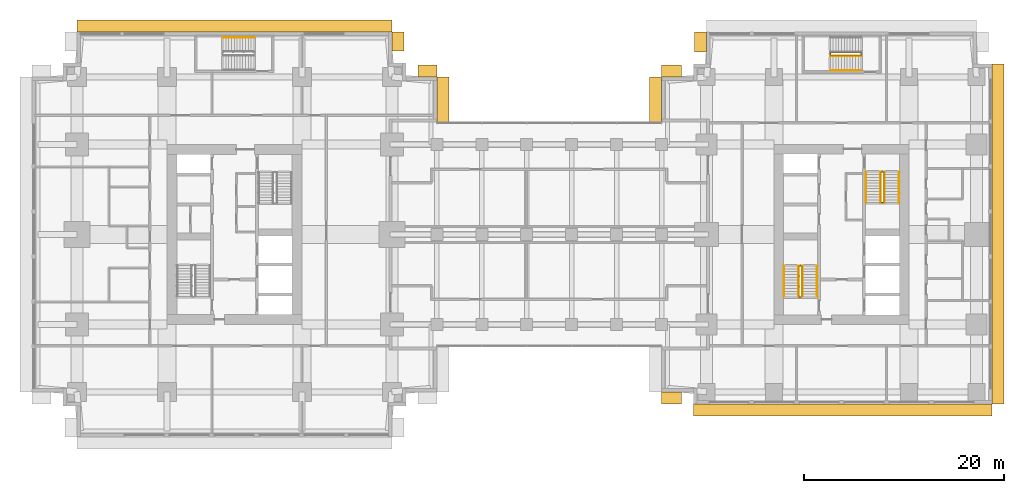
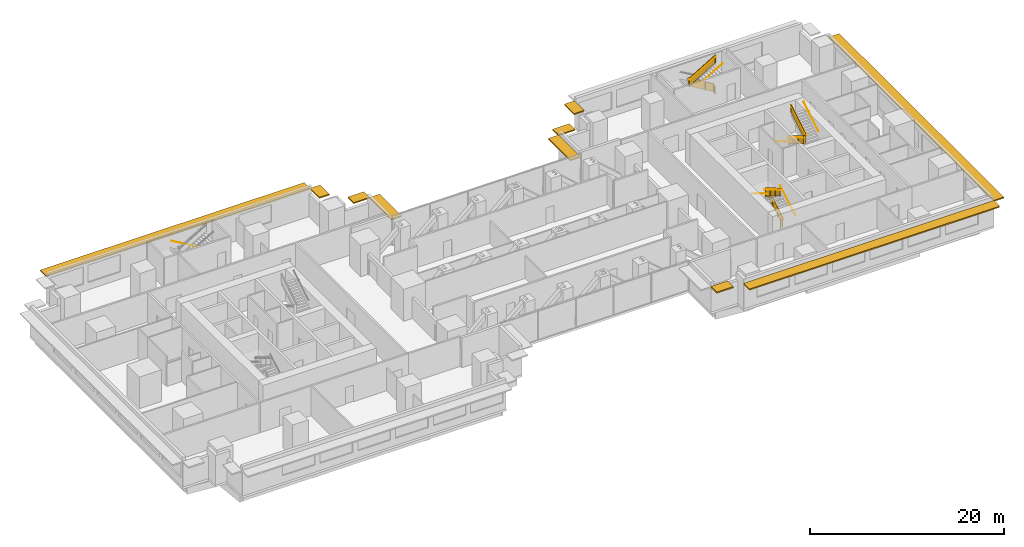
# One storey, part 15 of 16: 14 railings, 10 shading devices.
"""IFC4 building model written with IfcOpenShell, lengths in metres."""

from ifc_helpers import new_model, si_unit, direction, frame, origin, origin_2d, place, context, subcontext, project, spatial, polyline, rectangle, circle, outline, extrude, material, layer, layer_set, type_object, element, save


model = new_model("IFC4")

# Units and contexts
model_context = context("Model", 3, precision=1e-05, world=origin(), true_north=direction((0.0, 1.0)))
body_context = subcontext(model_context, "Body", "Model", "MODEL_VIEW")
ifc_project = project(units=[si_unit("LENGTHUNIT", "METRE"), si_unit("AREAUNIT", "SQUARE_METRE"), si_unit("VOLUMEUNIT", "CUBIC_METRE"), si_unit("PLANEANGLEUNIT", "RADIAN"), si_unit("MASSUNIT", "GRAM", prefix="KILO")], contexts=[model_context])

# Site, building, storey
site_placement = place(None, origin())
site = spatial("IfcSite", under=ifc_project, at=site_placement, CompositionType="ELEMENT")
building_placement = place(site_placement, origin())
building = spatial("IfcBuilding", under=site, at=building_placement, Name="Namib Vertical Campus", CompositionType="ELEMENT")
storey_placement = place(building_placement, frame((0.0, 0.0, 117.0)))
storey = spatial("IfcBuildingStorey", under=building, at=storey_placement, Name="L27", CompositionType="ELEMENT", Elevation=117.0)

# Railings
ifc_material_1 = material(Name="Steel handrail", Category="steel")
railing_type_1 = type_object("IfcRailingType", Name="Handrail 900", PredefinedType="HANDRAIL", material=ifc_material_1)
railing_1_placement = place(storey_placement, frame((78.550048828125, 14.0, 0.166748046875)))
element("IfcRailing", 1, at=railing_1_placement, inside=storey, type_object=railing_type_1, Name="Handrail HR1 B-S1 L27 1", PredefinedType="HANDRAIL", context=body_context, shape_type="SweptSolid", body=[
    extrude(circle(Radius=0.02392578125, at=origin_2d()), frame((0.0, 0.0, 0.8759765625), z_axis=(0.0, 0.859308565015, 0.511457515432), x_axis=(-1.0, 0.0, 0.0)), (0.0, 0.0, 1.0), 3.58447265625),
    extrude(circle(Radius=0.008056640625, at=origin_2d()), frame((0.0, 0.0, 0.8759765625), z_axis=(1.0, 0.0, 0.0), x_axis=(0.0, 0.0, 1.0)), (0.0, 0.0, 1.0), 0.050048828125),
    extrude(circle(Radius=0.008056640625, at=origin_2d()), frame((0.0, 1.026611328125, 1.48681640625), z_axis=(1.0, 0.0, 0.0), x_axis=(0.0, 0.0, 1.0)), (0.0, 0.0, 1.0), 0.050048828125),
    extrude(circle(Radius=0.008056640625, at=origin_2d()), frame((0.0, 2.053466796875, 2.09814453125), z_axis=(1.0, 0.0, 0.0), x_axis=(0.0, 0.0, 1.0)), (0.0, 0.0, 1.0), 0.050048828125),
    extrude(circle(Radius=0.008056640625, at=origin_2d()), frame((0.0, 3.080078125, 2.708984375), z_axis=(1.0, 0.0, 0.0), x_axis=(0.0, 0.0, 1.0)), (0.0, 0.0, 1.0), 0.050048828125),
])
railing_2_placement = place(storey_placement, frame((75.25, 17.080078125, 2.166748046875)))
element("IfcRailing", 2, at=railing_2_placement, inside=storey, type_object=railing_type_1, Name="Handrail HR1 B-S1 L27 2", PredefinedType="HANDRAIL", context=body_context, shape_type="SweptSolid", body=[
    extrude(circle(Radius=0.02392578125, at=origin_2d()), frame((0.0, 0.0, 0.8759765625), z_axis=(0.0, -0.859308565015, 0.511457515432), x_axis=(1.0, 0.0, 0.0)), (0.0, 0.0, 1.0), 3.58447265625),
    extrude(circle(Radius=0.008056640625, at=origin_2d()), frame((0.0, 0.0, 0.8759765625), z_axis=(-1.0, 0.0, 0.0), x_axis=(0.0, 0.0, 1.0)), (0.0, 0.0, 1.0), 0.050048828125),
    extrude(circle(Radius=0.008056640625, at=origin_2d()), frame((0.0, -1.026611328125, 1.48681640625), z_axis=(-1.0, 0.0, 0.0), x_axis=(0.0, 0.0, 1.0)), (0.0, 0.0, 1.0), 0.050048828125),
    extrude(circle(Radius=0.008056640625, at=origin_2d()), frame((0.0, -2.053466796875, 2.09814453125), z_axis=(-1.0, 0.0, 0.0), x_axis=(0.0, 0.0, 1.0)), (0.0, 0.0, 1.0), 0.050048828125),
    extrude(circle(Radius=0.008056640625, at=origin_2d()), frame((0.0, -3.080078125, 2.708984375), z_axis=(-1.0, 0.0, 0.0), x_axis=(0.0, 0.0, 1.0)), (0.0, 0.0, 1.0), 0.050048828125),
])
railing_3_placement = place(storey_placement, frame((77.10009765625, 14.0, 0.166748046875)))
element("IfcRailing", 3, at=railing_3_placement, inside=storey, type_object=railing_type_1, Name="Handrail HR1 B-S1 L27 1 at the well", PredefinedType="HANDRAIL", context=body_context, shape_type="SweptSolid", body=[
    extrude(circle(Radius=0.02392578125, at=origin_2d()), frame((0.0, 0.0, 0.8759765625), z_axis=(0.0, 0.859308565015, 0.511457515432), x_axis=(-1.0, 0.0, 0.0)), (0.0, 0.0, 1.0), 3.58447265625),
    extrude(circle(Radius=0.008056640625, at=origin_2d()), frame((0.0, 0.0, 0.8759765625), z_axis=(-1.0, 0.0, 0.0), x_axis=(0.0, 0.0, 1.0)), (0.0, 0.0, 1.0), 0.0400390625),
    extrude(circle(Radius=0.008056640625, at=origin_2d()), frame((0.0, 1.026611328125, 1.48681640625), z_axis=(-1.0, 0.0, 0.0), x_axis=(0.0, 0.0, 1.0)), (0.0, 0.0, 1.0), 0.0400390625),
    extrude(circle(Radius=0.008056640625, at=origin_2d()), frame((0.0, 2.053466796875, 2.09814453125), z_axis=(-1.0, 0.0, 0.0), x_axis=(0.0, 0.0, 1.0)), (0.0, 0.0, 1.0), 0.0400390625),
    extrude(circle(Radius=0.008056640625, at=origin_2d()), frame((0.0, 3.080078125, 2.708984375), z_axis=(-1.0, 0.0, 0.0), x_axis=(0.0, 0.0, 1.0)), (0.0, 0.0, 1.0), 0.0400390625),
])
railing_4_placement = place(storey_placement, frame((76.699951171875, 17.080078125, 2.166748046875)))
element("IfcRailing", 4, at=railing_4_placement, inside=storey, type_object=railing_type_1, Name="Handrail HR1 B-S1 L27 2 at the well", PredefinedType="HANDRAIL", context=body_context, shape_type="SweptSolid", body=[
    extrude(circle(Radius=0.02392578125, at=origin_2d()), frame((0.0, 0.0, 0.8759765625), z_axis=(0.0, -0.859308565015, 0.511457515432), x_axis=(1.0, 0.0, 0.0)), (0.0, 0.0, 1.0), 3.58447265625),
    extrude(circle(Radius=0.008056640625, at=origin_2d()), frame((0.0, 0.0, 0.8759765625), z_axis=(1.0, 0.0, 0.0), x_axis=(0.0, 0.0, 1.0)), (0.0, 0.0, 1.0), 0.0400390625),
    extrude(circle(Radius=0.008056640625, at=origin_2d()), frame((0.0, -1.026611328125, 1.48681640625), z_axis=(1.0, 0.0, 0.0), x_axis=(0.0, 0.0, 1.0)), (0.0, 0.0, 1.0), 0.0400390625),
    extrude(circle(Radius=0.008056640625, at=origin_2d()), frame((0.0, -2.053466796875, 2.09814453125), z_axis=(1.0, 0.0, 0.0), x_axis=(0.0, 0.0, 1.0)), (0.0, 0.0, 1.0), 0.0400390625),
    extrude(circle(Radius=0.008056640625, at=origin_2d()), frame((0.0, -3.080078125, 2.708984375), z_axis=(1.0, 0.0, 0.0), x_axis=(0.0, 0.0, 1.0)), (0.0, 0.0, 1.0), 0.0400390625),
])
railing_5_placement = place(storey_placement, frame((83.449951171875, 26.5, 0.166748046875)))
element("IfcRailing", 5, at=railing_5_placement, inside=storey, type_object=railing_type_1, Name="Handrail HR1 B-S2 L27 1", PredefinedType="HANDRAIL", context=body_context, shape_type="SweptSolid", body=[
    extrude(circle(Radius=0.02392578125, at=origin_2d()), frame((0.0, 0.0, 0.8759765625), z_axis=(0.0, -0.859308565015, 0.511457515432), x_axis=(1.0, 0.0, 0.0)), (0.0, 0.0, 1.0), 3.58447265625),
    extrude(circle(Radius=0.008056640625, at=origin_2d()), frame((0.0, 0.0, 0.8759765625), z_axis=(-1.0, 0.0, 0.0), x_axis=(0.0, 0.0, 1.0)), (0.0, 0.0, 1.0), 0.050048828125),
    extrude(circle(Radius=0.008056640625, at=origin_2d()), frame((0.0, -1.026611328125, 1.48681640625), z_axis=(-1.0, 0.0, 0.0), x_axis=(0.0, 0.0, 1.0)), (0.0, 0.0, 1.0), 0.050048828125),
    extrude(circle(Radius=0.008056640625, at=origin_2d()), frame((0.0, -2.053466796875, 2.09814453125), z_axis=(-1.0, 0.0, 0.0), x_axis=(0.0, 0.0, 1.0)), (0.0, 0.0, 1.0), 0.050048828125),
    extrude(circle(Radius=0.008056640625, at=origin_2d()), frame((0.0, -3.080078125, 2.708984375), z_axis=(-1.0, 0.0, 0.0), x_axis=(0.0, 0.0, 1.0)), (0.0, 0.0, 1.0), 0.050048828125),
])
railing_6_placement = place(storey_placement, frame((86.75, 23.419921875, 2.166748046875)))
element("IfcRailing", 6, at=railing_6_placement, inside=storey, type_object=railing_type_1, Name="Handrail HR1 B-S2 L27 2", PredefinedType="HANDRAIL", context=body_context, shape_type="SweptSolid", body=[
    extrude(circle(Radius=0.02392578125, at=origin_2d()), frame((0.0, 0.0, 0.8759765625), z_axis=(0.0, 0.859308565015, 0.511457515432), x_axis=(-1.0, 0.0, 0.0)), (0.0, 0.0, 1.0), 3.58447265625),
    extrude(circle(Radius=0.008056640625, at=origin_2d()), frame((0.0, 0.0, 0.8759765625), z_axis=(1.0, 0.0, 0.0), x_axis=(0.0, 0.0, 1.0)), (0.0, 0.0, 1.0), 0.050048828125),
    extrude(circle(Radius=0.008056640625, at=origin_2d()), frame((0.0, 1.026611328125, 1.48681640625), z_axis=(1.0, 0.0, 0.0), x_axis=(0.0, 0.0, 1.0)), (0.0, 0.0, 1.0), 0.050048828125),
    extrude(circle(Radius=0.008056640625, at=origin_2d()), frame((0.0, 2.053466796875, 2.09814453125), z_axis=(1.0, 0.0, 0.0), x_axis=(0.0, 0.0, 1.0)), (0.0, 0.0, 1.0), 0.050048828125),
    extrude(circle(Radius=0.008056640625, at=origin_2d()), frame((0.0, 3.080078125, 2.708984375), z_axis=(1.0, 0.0, 0.0), x_axis=(0.0, 0.0, 1.0)), (0.0, 0.0, 1.0), 0.050048828125),
])
railing_7_placement = place(storey_placement, frame((84.89990234375, 26.5, 0.166748046875)))
element("IfcRailing", 7, at=railing_7_placement, inside=storey, type_object=railing_type_1, Name="Handrail HR1 B-S2 L27 1 at the well", PredefinedType="HANDRAIL", context=body_context, shape_type="SweptSolid", body=[
    extrude(circle(Radius=0.02392578125, at=origin_2d()), frame((0.0, 0.0, 0.8759765625), z_axis=(0.0, -0.859308565015, 0.511457515432), x_axis=(1.0, 0.0, 0.0)), (0.0, 0.0, 1.0), 3.58447265625),
    extrude(circle(Radius=0.008056640625, at=origin_2d()), frame((0.0, 0.0, 0.8759765625), z_axis=(1.0, 0.0, 0.0), x_axis=(0.0, 0.0, 1.0)), (0.0, 0.0, 1.0), 0.0400390625),
    extrude(circle(Radius=0.008056640625, at=origin_2d()), frame((0.0, -1.026611328125, 1.48681640625), z_axis=(1.0, 0.0, 0.0), x_axis=(0.0, 0.0, 1.0)), (0.0, 0.0, 1.0), 0.0400390625),
    extrude(circle(Radius=0.008056640625, at=origin_2d()), frame((0.0, -2.053466796875, 2.09814453125), z_axis=(1.0, 0.0, 0.0), x_axis=(0.0, 0.0, 1.0)), (0.0, 0.0, 1.0), 0.0400390625),
    extrude(circle(Radius=0.008056640625, at=origin_2d()), frame((0.0, -3.080078125, 2.708984375), z_axis=(1.0, 0.0, 0.0), x_axis=(0.0, 0.0, 1.0)), (0.0, 0.0, 1.0), 0.0400390625),
])
railing_8_placement = place(storey_placement, frame((85.300048828125, 23.419921875, 2.166748046875)))
element("IfcRailing", 8, at=railing_8_placement, inside=storey, type_object=railing_type_1, Name="Handrail HR1 B-S2 L27 2 at the well", PredefinedType="HANDRAIL", context=body_context, shape_type="SweptSolid", body=[
    extrude(circle(Radius=0.02392578125, at=origin_2d()), frame((0.0, 0.0, 0.8759765625), z_axis=(0.0, 0.859308565015, 0.511457515432), x_axis=(-1.0, 0.0, 0.0)), (0.0, 0.0, 1.0), 3.58447265625),
    extrude(circle(Radius=0.008056640625, at=origin_2d()), frame((0.0, 0.0, 0.8759765625), z_axis=(-1.0, 0.0, 0.0), x_axis=(0.0, 0.0, 1.0)), (0.0, 0.0, 1.0), 0.0400390625),
    extrude(circle(Radius=0.008056640625, at=origin_2d()), frame((0.0, 1.026611328125, 1.48681640625), z_axis=(-1.0, 0.0, 0.0), x_axis=(0.0, 0.0, 1.0)), (0.0, 0.0, 1.0), 0.0400390625),
    extrude(circle(Radius=0.008056640625, at=origin_2d()), frame((0.0, 2.053466796875, 2.09814453125), z_axis=(-1.0, 0.0, 0.0), x_axis=(0.0, 0.0, 1.0)), (0.0, 0.0, 1.0), 0.0400390625),
    extrude(circle(Radius=0.008056640625, at=origin_2d()), frame((0.0, 3.080078125, 2.708984375), z_axis=(-1.0, 0.0, 0.0), x_axis=(0.0, 0.0, 1.0)), (0.0, 0.0, 1.0), 0.0400390625),
])
railing_9_placement = place(storey_placement, frame((22.199951171875, 39.949951171875, 0.166748046875)))
element("IfcRailing", 9, at=railing_9_placement, inside=storey, type_object=railing_type_1, Name="Handrail HR1 A-S3 L27 1", PredefinedType="HANDRAIL", context=body_context, shape_type="SweptSolid", body=[
    extrude(circle(Radius=0.02392578125, at=origin_2d()), frame((0.0, 0.0, 0.8759765625), z_axis=(-0.859290745958, 0.0, 0.51148745235), x_axis=(0.0, -1.0, 0.0)), (0.0, 0.0, 1.0), 3.584228515625),
    extrude(circle(Radius=0.008056640625, at=origin_2d()), frame((0.0, 0.0, 0.8759765625), z_axis=(0.0, 1.0, 0.0), x_axis=(0.0, 0.0, 1.0)), (0.0, 0.0, 1.0), 0.050048828125),
    extrude(circle(Radius=0.008056640625, at=origin_2d()), frame((-1.026611328125, 0.0, 1.48681640625), z_axis=(0.0, 1.0, 0.0), x_axis=(0.0, 0.0, 1.0)), (0.0, 0.0, 1.0), 0.050048828125),
    extrude(circle(Radius=0.008056640625, at=origin_2d()), frame((-2.05322265625, 0.0, 2.09814453125), z_axis=(0.0, 1.0, 0.0), x_axis=(0.0, 0.0, 1.0)), (0.0, 0.0, 1.0), 0.050048828125),
    extrude(circle(Radius=0.008056640625, at=origin_2d()), frame((-3.079833984375, 0.0, 2.708984375), z_axis=(0.0, 1.0, 0.0), x_axis=(0.0, 0.0, 1.0)), (0.0, 0.0, 1.0), 0.050048828125),
])
railing_10_placement = place(storey_placement, frame((79.8701171875, 36.64990234375, 2.166748046875)))
element("IfcRailing", 10, at=railing_10_placement, inside=storey, type_object=railing_type_1, Name="Handrail HR1 B-S3 L27 2", PredefinedType="HANDRAIL", context=body_context, shape_type="SweptSolid", body=[
    extrude(circle(Radius=0.02392578125, at=origin_2d()), frame((0.0, 0.0, 0.8759765625), z_axis=(0.859290745958, 0.0, 0.51148745235), x_axis=(0.0, 1.0, 0.0)), (0.0, 0.0, 1.0), 3.584228515625),
    extrude(circle(Radius=0.008056640625, at=origin_2d()), frame((0.0, 0.0, 0.8759765625), z_axis=(0.0, -1.0, 0.0), x_axis=(0.0, 0.0, 1.0)), (0.0, 0.0, 1.0), 0.050048828125),
    extrude(circle(Radius=0.008056640625, at=origin_2d()), frame((1.026611328125, 0.0, 1.48681640625), z_axis=(0.0, -1.0, 0.0), x_axis=(0.0, 0.0, 1.0)), (0.0, 0.0, 1.0), 0.050048828125),
    extrude(circle(Radius=0.008056640625, at=origin_2d()), frame((2.05322265625, 0.0, 2.09814453125), z_axis=(0.0, -1.0, 0.0), x_axis=(0.0, 0.0, 1.0)), (0.0, 0.0, 1.0), 0.050048828125),
    extrude(circle(Radius=0.008056640625, at=origin_2d()), frame((3.079833984375, 0.0, 2.708984375), z_axis=(0.0, -1.0, 0.0), x_axis=(0.0, 0.0, 1.0)), (0.0, 0.0, 1.0), 0.050048828125),
])
railing_11_placement = place(storey_placement, frame((79.8701171875, 38.10009765625, 2.166748046875)))
element("IfcRailing", 11, at=railing_11_placement, inside=storey, type_object=railing_type_1, Name="Handrail HR1 B-S3 L27 2 at the well", PredefinedType="HANDRAIL", context=body_context, shape_type="SweptSolid", body=[
    extrude(circle(Radius=0.02392578125, at=origin_2d()), frame((0.0, 0.0, 0.8759765625), z_axis=(0.859290745958, 0.0, 0.51148745235), x_axis=(0.0, 1.0, 0.0)), (0.0, 0.0, 1.0), 3.584228515625),
    extrude(circle(Radius=0.008056640625, at=origin_2d()), frame((0.0, 0.0, 0.8759765625), z_axis=(0.0, 1.0, 0.0), x_axis=(0.0, 0.0, 1.0)), (0.0, 0.0, 1.0), 0.0400390625),
    extrude(circle(Radius=0.008056640625, at=origin_2d()), frame((1.026611328125, 0.0, 1.48681640625), z_axis=(0.0, 1.0, 0.0), x_axis=(0.0, 0.0, 1.0)), (0.0, 0.0, 1.0), 0.0400390625),
    extrude(circle(Radius=0.008056640625, at=origin_2d()), frame((2.05322265625, 0.0, 2.09814453125), z_axis=(0.0, 1.0, 0.0), x_axis=(0.0, 0.0, 1.0)), (0.0, 0.0, 1.0), 0.0400390625),
    extrude(circle(Radius=0.008056640625, at=origin_2d()), frame((3.079833984375, 0.0, 2.708984375), z_axis=(0.0, 1.0, 0.0), x_axis=(0.0, 0.0, 1.0)), (0.0, 0.0, 1.0), 0.0400390625),
])
ifc_material_2 = material(Name="Steel balustrade", Category="steel")
railing_type_2 = type_object("IfcRailingType", Name="Stair guard 1100", PredefinedType="GUARDRAIL", material=ifc_material_2)
railing_12_placement = place(storey_placement, frame((76.75, 14.0, 0.0)))
element("IfcRailing", 12, at=railing_12_placement, inside=storey, type_object=railing_type_2, Name="Stair guard GR1 B-S1 L27", PredefinedType="GUARDRAIL", context=body_context, shape_type="SweptSolid", body=[
    extrude(circle(Radius=0.02392578125, at=origin_2d()), frame((0.0, 0.0, 1.076171875), z_axis=(1.0, 0.0, 0.0), x_axis=(0.0, 1.0, 0.0)), (0.0, 0.0, 1.0), 0.300048828125),
    extrude(outline(polyline([(0.02099609375, 0.050048828125), (0.279052734375, 0.050048828125), (0.279052734375, 1.052001953125), (0.02099609375, 1.052001953125), (0.02099609375, 0.050048828125)])), frame((0.0, 0.010009765625, 0.0), z_axis=(0.0, -1.0, 0.0), x_axis=(1.0, 0.0, 0.0)), (0.0, 0.0, 1.0), 0.02001953125),
    extrude(circle(Radius=0.02392578125, at=origin_2d()), frame((0.300048828125, 0.0, 1.076171875), z_axis=(0.0, 0.0, 1.0), x_axis=(1.0, 0.0, 0.0)), (0.0, 0.0, 1.0), 0.166748046875),
    extrude(circle(Radius=0.02392578125, at=origin_2d()), frame((0.300048828125, 0.0, 1.24267578125), z_axis=(0.0, 0.859308565015, 0.511457515432), x_axis=(-1.0, 0.0, 0.0)), (0.0, 0.0, 1.0), 3.58447265625),
    extrude(outline(polyline([(0.02099609375, 0.0625), (3.05908203125, 1.870849609375), (3.05908203125, 2.872802734375), (0.02099609375, 1.064453125), (0.02099609375, 0.0625)])), frame((0.2900390625, 0.0, 0.166748046875), z_axis=(1.0, 0.0, 0.0), x_axis=(0.0, 1.0, 0.0)), (0.0, 0.0, 1.0), 0.02001953125),
    extrude(circle(Radius=0.02392578125, at=origin_2d()), frame((0.300048828125, 3.080078125, 3.076171875), z_axis=(-1.0, 0.0, 0.0), x_axis=(0.0, -1.0, 0.0)), (0.0, 0.0, 1.0), 0.300048828125),
    extrude(outline(polyline([(0.02099609375, 0.050048828125), (0.279052734375, 0.050048828125), (0.279052734375, 1.052001953125), (0.02099609375, 1.052001953125), (0.02099609375, 0.050048828125)])), frame((0.300048828125, 3.070068359375, 2.0), z_axis=(0.0, 1.0, 0.0), x_axis=(-1.0, 0.0, 0.0)), (0.0, 0.0, 1.0), 0.02001953125),
    extrude(circle(Radius=0.02392578125, at=origin_2d()), frame((0.0, 3.080078125, 3.076171875), z_axis=(0.0, 0.0, 1.0), x_axis=(1.0, 0.0, 0.0)), (0.0, 0.0, 1.0), 0.166748046875),
    extrude(circle(Radius=0.02392578125, at=origin_2d()), frame((0.0, 3.080078125, 3.24267578125), z_axis=(0.0, -0.859308565015, 0.511457515432), x_axis=(1.0, 0.0, 0.0)), (0.0, 0.0, 1.0), 3.58447265625),
    extrude(outline(polyline([(0.02099609375, 0.0625), (3.05908203125, 1.870849609375), (3.05908203125, 2.872802734375), (0.02099609375, 1.064453125), (0.02099609375, 0.0625)])), frame((0.010009765625, 3.080078125, 2.166748046875), z_axis=(-1.0, 0.0, 0.0), x_axis=(0.0, -1.0, 0.0)), (0.0, 0.0, 1.0), 0.02001953125),
    extrude(circle(Radius=0.02392578125, at=origin_2d()), frame((0.0, 0.0, 5.076171875), z_axis=(0.0, -1.0, 0.0), x_axis=(1.0, 0.0, 0.0)), (0.0, 0.0, 1.0), 0.050048828125),
    extrude(outline(polyline([(0.02099609375, 0.050048828125), (0.029052734375, 0.050048828125), (0.029052734375, 1.052001953125), (0.02099609375, 1.052001953125), (0.02099609375, 0.050048828125)])), frame((0.010009765625, 0.0, 4.0), z_axis=(-1.0, 0.0, 0.0), x_axis=(0.0, -1.0, 0.0)), (0.0, 0.0, 1.0), 0.02001953125),
    extrude(circle(Radius=0.02099609375, at=origin_2d()), origin(), (0.0, 0.0, 1.0), 1.052001953125),
    extrude(circle(Radius=0.02099609375, at=origin_2d()), frame((0.300048828125, 0.0, 0.166748046875)), (0.0, 0.0, 1.0), 1.052001953125),
    extrude(circle(Radius=0.02099609375, at=origin_2d()), frame((0.300048828125, 1.026611328125, 0.666748046875)), (0.0, 0.0, 1.0), 1.1630859375),
    extrude(circle(Radius=0.02099609375, at=origin_2d()), frame((0.300048828125, 2.053466796875, 1.33349609375)), (0.0, 0.0, 1.0), 1.107421875),
    extrude(circle(Radius=0.02099609375, at=origin_2d()), frame((0.300048828125, 3.080078125, 2.0)), (0.0, 0.0, 1.0), 1.052001953125),
    extrude(circle(Radius=0.02099609375, at=origin_2d()), frame((0.0, 3.080078125, 2.166748046875)), (0.0, 0.0, 1.0), 1.052001953125),
    extrude(circle(Radius=0.02099609375, at=origin_2d()), frame((0.0, 2.053466796875, 2.666748046875)), (0.0, 0.0, 1.0), 1.1630859375),
    extrude(circle(Radius=0.02099609375, at=origin_2d()), frame((0.0, 1.026611328125, 3.33349609375)), (0.0, 0.0, 1.0), 1.107421875),
    extrude(circle(Radius=0.02099609375, at=origin_2d()), frame((0.0, 0.0, 4.0)), (0.0, 0.0, 1.0), 1.052001953125),
    extrude(circle(Radius=0.02099609375, at=origin_2d()), frame((0.0, -0.050048828125, 4.0)), (0.0, 0.0, 1.0), 1.052001953125),
])
railing_13_placement = place(storey_placement, frame((85.25, 26.5, 0.0)))
element("IfcRailing", 13, at=railing_13_placement, inside=storey, type_object=railing_type_2, Name="Stair guard GR1 B-S2 L27", PredefinedType="GUARDRAIL", context=body_context, shape_type="SweptSolid", body=[
    extrude(circle(Radius=0.02392578125, at=origin_2d()), frame((0.0, 0.0, 1.076171875), z_axis=(-1.0, 0.0, 0.0), x_axis=(0.0, -1.0, 0.0)), (0.0, 0.0, 1.0), 0.300048828125),
    extrude(outline(polyline([(0.02099609375, 0.050048828125), (0.279052734375, 0.050048828125), (0.279052734375, 1.052001953125), (0.02099609375, 1.052001953125), (0.02099609375, 0.050048828125)])), frame((0.0, -0.010009765625, 0.0), z_axis=(0.0, 1.0, 0.0), x_axis=(-1.0, 0.0, 0.0)), (0.0, 0.0, 1.0), 0.02001953125),
    extrude(circle(Radius=0.02392578125, at=origin_2d()), frame((-0.300048828125, 0.0, 1.076171875), z_axis=(0.0, 0.0, 1.0), x_axis=(1.0, 0.0, 0.0)), (0.0, 0.0, 1.0), 0.166748046875),
    extrude(circle(Radius=0.02392578125, at=origin_2d()), frame((-0.300048828125, 0.0, 1.24267578125), z_axis=(0.0, -0.859308565015, 0.511457515432), x_axis=(1.0, 0.0, 0.0)), (0.0, 0.0, 1.0), 3.58447265625),
    extrude(outline(polyline([(0.02099609375, 0.0625), (3.05908203125, 1.870849609375), (3.05908203125, 2.872802734375), (0.02099609375, 1.064453125), (0.02099609375, 0.0625)])), frame((-0.2900390625, 0.0, 0.166748046875), z_axis=(-1.0, 0.0, 0.0), x_axis=(0.0, -1.0, 0.0)), (0.0, 0.0, 1.0), 0.02001953125),
    extrude(circle(Radius=0.02392578125, at=origin_2d()), frame((-0.300048828125, -3.080078125, 3.076171875), z_axis=(1.0, 0.0, 0.0), x_axis=(0.0, 1.0, 0.0)), (0.0, 0.0, 1.0), 0.300048828125),
    extrude(outline(polyline([(0.02099609375, 0.050048828125), (0.279052734375, 0.050048828125), (0.279052734375, 1.052001953125), (0.02099609375, 1.052001953125), (0.02099609375, 0.050048828125)])), frame((-0.300048828125, -3.070068359375, 2.0), z_axis=(0.0, -1.0, 0.0), x_axis=(1.0, 0.0, 0.0)), (0.0, 0.0, 1.0), 0.02001953125),
    extrude(circle(Radius=0.02392578125, at=origin_2d()), frame((0.0, -3.080078125, 3.076171875), z_axis=(0.0, 0.0, 1.0), x_axis=(1.0, 0.0, 0.0)), (0.0, 0.0, 1.0), 0.166748046875),
    extrude(circle(Radius=0.02392578125, at=origin_2d()), frame((0.0, -3.080078125, 3.24267578125), z_axis=(0.0, 0.859308565015, 0.511457515432), x_axis=(-1.0, 0.0, 0.0)), (0.0, 0.0, 1.0), 3.58447265625),
    extrude(outline(polyline([(0.02099609375, 0.0625), (3.05908203125, 1.870849609375), (3.05908203125, 2.872802734375), (0.02099609375, 1.064453125), (0.02099609375, 0.0625)])), frame((-0.010009765625, -3.080078125, 2.166748046875), z_axis=(1.0, 0.0, 0.0), x_axis=(0.0, 1.0, 0.0)), (0.0, 0.0, 1.0), 0.02001953125),
    extrude(circle(Radius=0.02392578125, at=origin_2d()), frame((0.0, 0.0, 5.076171875), z_axis=(0.0, 1.0, 0.0), x_axis=(-1.0, 0.0, 0.0)), (0.0, 0.0, 1.0), 0.050048828125),
    extrude(outline(polyline([(0.02099609375, 0.050048828125), (0.029052734375, 0.050048828125), (0.029052734375, 1.052001953125), (0.02099609375, 1.052001953125), (0.02099609375, 0.050048828125)])), frame((-0.010009765625, 0.0, 4.0), z_axis=(1.0, 0.0, 0.0), x_axis=(0.0, 1.0, 0.0)), (0.0, 0.0, 1.0), 0.02001953125),
    extrude(circle(Radius=0.02099609375, at=origin_2d()), origin(), (0.0, 0.0, 1.0), 1.052001953125),
    extrude(circle(Radius=0.02099609375, at=origin_2d()), frame((-0.300048828125, 0.0, 0.166748046875)), (0.0, 0.0, 1.0), 1.052001953125),
    extrude(circle(Radius=0.02099609375, at=origin_2d()), frame((-0.300048828125, -1.026611328125, 0.666748046875)), (0.0, 0.0, 1.0), 1.1630859375),
    extrude(circle(Radius=0.02099609375, at=origin_2d()), frame((-0.300048828125, -2.053466796875, 1.33349609375)), (0.0, 0.0, 1.0), 1.107421875),
    extrude(circle(Radius=0.02099609375, at=origin_2d()), frame((-0.300048828125, -3.080078125, 2.0)), (0.0, 0.0, 1.0), 1.052001953125),
    extrude(circle(Radius=0.02099609375, at=origin_2d()), frame((0.0, -3.080078125, 2.166748046875)), (0.0, 0.0, 1.0), 1.052001953125),
    extrude(circle(Radius=0.02099609375, at=origin_2d()), frame((0.0, -2.053466796875, 2.666748046875)), (0.0, 0.0, 1.0), 1.1630859375),
    extrude(circle(Radius=0.02099609375, at=origin_2d()), frame((0.0, -1.026611328125, 3.33349609375)), (0.0, 0.0, 1.0), 1.107421875),
    extrude(circle(Radius=0.02099609375, at=origin_2d()), frame((0.0, 0.0, 4.0)), (0.0, 0.0, 1.0), 1.052001953125),
    extrude(circle(Radius=0.02099609375, at=origin_2d()), frame((0.0, 0.050048828125, 4.0)), (0.0, 0.0, 1.0), 1.052001953125),
])
railing_14_placement = place(storey_placement, frame((82.949951171875, 38.14990234375, 0.0)))
element("IfcRailing", 14, at=railing_14_placement, inside=storey, type_object=railing_type_2, Name="Stair guard GR1 B-S3 L27", PredefinedType="GUARDRAIL", context=body_context, shape_type="SweptSolid", body=[
    extrude(circle(Radius=0.02392578125, at=origin_2d()), frame((0.0, 0.0, 1.076171875), z_axis=(0.0, 1.0, 0.0), x_axis=(-1.0, 0.0, 0.0)), (0.0, 0.0, 1.0), 0.300048828125),
    extrude(outline(polyline([(0.02099609375, 0.050048828125), (0.279052734375, 0.050048828125), (0.279052734375, 1.052001953125), (0.02099609375, 1.052001953125), (0.02099609375, 0.050048828125)])), frame((-0.010009765625, 0.0, 0.0), z_axis=(1.0, 0.0, 0.0), x_axis=(0.0, 1.0, 0.0)), (0.0, 0.0, 1.0), 0.02001953125),
    extrude(circle(Radius=0.02392578125, at=origin_2d()), frame((0.0, 0.300048828125, 1.076171875), z_axis=(0.0, 0.0, 1.0), x_axis=(1.0, 0.0, 0.0)), (0.0, 0.0, 1.0), 0.166748046875),
    extrude(circle(Radius=0.02392578125, at=origin_2d()), frame((0.0, 0.300048828125, 1.24267578125), z_axis=(-0.859290745958, 0.0, 0.51148745235), x_axis=(0.0, -1.0, 0.0)), (0.0, 0.0, 1.0), 3.584228515625),
    extrude(outline(polyline([(0.02099609375, 0.0625), (3.058837890625, 1.870849609375), (3.058837890625, 2.872802734375), (0.02099609375, 1.064453125), (0.02099609375, 0.0625)])), frame((0.0, 0.2900390625, 0.166748046875), z_axis=(0.0, 1.0, 0.0), x_axis=(-1.0, 0.0, 0.0)), (0.0, 0.0, 1.0), 0.02001953125),
    extrude(circle(Radius=0.02392578125, at=origin_2d()), frame((-3.079833984375, 0.300048828125, 3.076171875), z_axis=(0.0, -1.0, 0.0), x_axis=(1.0, 0.0, 0.0)), (0.0, 0.0, 1.0), 0.300048828125),
    extrude(outline(polyline([(0.02099609375, 0.050048828125), (0.279052734375, 0.050048828125), (0.279052734375, 1.052001953125), (0.02099609375, 1.052001953125), (0.02099609375, 0.050048828125)])), frame((-3.06982421875, 0.300048828125, 2.0), z_axis=(-1.0, 0.0, 0.0), x_axis=(0.0, -1.0, 0.0)), (0.0, 0.0, 1.0), 0.02001953125),
    extrude(circle(Radius=0.02392578125, at=origin_2d()), frame((-3.079833984375, 0.0, 3.076171875), z_axis=(0.0, 0.0, 1.0), x_axis=(1.0, 0.0, 0.0)), (0.0, 0.0, 1.0), 0.166748046875),
    extrude(circle(Radius=0.02392578125, at=origin_2d()), frame((-3.079833984375, 0.0, 3.24267578125), z_axis=(0.859290745958, 0.0, 0.51148745235), x_axis=(0.0, 1.0, 0.0)), (0.0, 0.0, 1.0), 3.584228515625),
    extrude(outline(polyline([(0.02099609375, 0.0625), (3.058837890625, 1.870849609375), (3.058837890625, 2.872802734375), (0.02099609375, 1.064453125), (0.02099609375, 0.0625)])), frame((-3.079833984375, 0.010009765625, 2.166748046875), z_axis=(0.0, -1.0, 0.0), x_axis=(1.0, 0.0, 0.0)), (0.0, 0.0, 1.0), 0.02001953125),
    extrude(circle(Radius=0.02392578125, at=origin_2d()), frame((0.0, 0.0, 5.076171875), z_axis=(1.0, 0.0, 0.0), x_axis=(0.0, 1.0, 0.0)), (0.0, 0.0, 1.0), 0.050048828125),
    extrude(outline(polyline([(0.02099609375, 0.050048828125), (0.029052734375, 0.050048828125), (0.029052734375, 1.052001953125), (0.02099609375, 1.052001953125), (0.02099609375, 0.050048828125)])), frame((0.0, 0.010009765625, 4.0), z_axis=(0.0, -1.0, 0.0), x_axis=(1.0, 0.0, 0.0)), (0.0, 0.0, 1.0), 0.02001953125),
    extrude(circle(Radius=0.02099609375, at=origin_2d()), origin(), (0.0, 0.0, 1.0), 1.052001953125),
    extrude(circle(Radius=0.02099609375, at=origin_2d()), frame((0.0, 0.300048828125, 0.166748046875)), (0.0, 0.0, 1.0), 1.052001953125),
    extrude(circle(Radius=0.02099609375, at=origin_2d()), frame((-1.026611328125, 0.300048828125, 0.666748046875)), (0.0, 0.0, 1.0), 1.1630859375),
    extrude(circle(Radius=0.02099609375, at=origin_2d()), frame((-2.05322265625, 0.300048828125, 1.33349609375)), (0.0, 0.0, 1.0), 1.107421875),
    extrude(circle(Radius=0.02099609375, at=origin_2d()), frame((-3.079833984375, 0.300048828125, 2.0)), (0.0, 0.0, 1.0), 1.052001953125),
    extrude(circle(Radius=0.02099609375, at=origin_2d()), frame((-3.079833984375, 0.0, 2.166748046875)), (0.0, 0.0, 1.0), 1.052001953125),
    extrude(circle(Radius=0.02099609375, at=origin_2d()), frame((-2.05322265625, 0.0, 2.666748046875)), (0.0, 0.0, 1.0), 1.1630859375),
    extrude(circle(Radius=0.02099609375, at=origin_2d()), frame((-1.026611328125, 0.0, 3.33349609375)), (0.0, 0.0, 1.0), 1.107421875),
    extrude(circle(Radius=0.02099609375, at=origin_2d()), frame((0.0, 0.0, 4.0)), (0.0, 0.0, 1.0), 1.052001953125),
    extrude(circle(Radius=0.02099609375, at=origin_2d()), frame((0.050048828125, 0.0, 4.0)), (0.0, 0.0, 1.0), 1.052001953125),
])

# Shading devices
ifc_material_3 = material(Name="Concrete C40/50 precast", Category="concrete")
ifc_layer = layer(ifc_material_3, 0.14990234375)
ifc_layer_set = layer_set([ifc_layer], Name="Concrete C40/50 precast")
shading_device_type = type_object("IfcShadingDeviceType", Name="Sunshade hood 1200", PredefinedType="SHUTTER", material=ifc_layer_set)
shading_device_1_placement = place(storey_placement, frame((41.10009765625, 33.75, 3.10009765625), z_axis=(0.0, 0.0, 1.0), x_axis=(0.0, 1.0, 0.0)))
element("IfcShadingDevice", 15, at=shading_device_1_placement, inside=storey, type_object=shading_device_type, Name="Sunshade SH2 L27 11", PredefinedType="SHUTTER", context=body_context, shape_type="SweptSolid", body=[
    extrude(rectangle(XDim=4.5, YDim=1.199951171875, at=origin_2d()), origin(), (0.0, 0.0, 1.0), 0.14990234375),
])
for number, where, z_axis, x_axis, name in (
    (16, (39.550048828125, 36.60009765625, 3.10009765625), (0.0, 0.0, 1.0), (-1.0, 0.0, 0.0), "Sunshade SH2 L27 12"),
    (17, (36.60009765625, 39.550048828125, 3.10009765625), (0.0, 0.0, 1.0), (0.0, 1.0, 0.0), "Sunshade SH2 L27 15"),
):
    element("IfcShadingDevice", number, at=place(storey_placement, frame(where, z_axis=z_axis, x_axis=x_axis)), inside=storey, type_object=shading_device_type, Name=name, PredefinedType="SHUTTER", context=body_context, shape_type="SweptSolid", body=[
        extrude(rectangle(XDim=1.89990234375, YDim=1.199951171875, at=origin_2d()), origin(), (0.0, 0.0, 1.0), 0.14990234375),
    ])
shading_device_2_placement = place(storey_placement, frame((20.25, 41.10009765625, 3.10009765625), z_axis=(0.0, 0.0, 1.0), x_axis=(-1.0, 0.0, 0.0)))
element("IfcShadingDevice", 18, at=shading_device_2_placement, inside=storey, type_object=shading_device_type, Name="Sunshade SH2 L27 16", PredefinedType="SHUTTER", context=body_context, shape_type="SweptSolid", body=[
    extrude(rectangle(XDim=31.5, YDim=1.199951171875, at=origin_2d()), origin(), (0.0, 0.0, 1.0), 0.14990234375),
])
shading_device_3_placement = place(storey_placement, frame((64.0, 3.89990234375, 3.10009765625), z_axis=(0.0, 0.0, 1.0), x_axis=(1.0, 0.0, 0.0)))
element("IfcShadingDevice", 19, at=shading_device_3_placement, inside=storey, type_object=shading_device_type, Name="Sunshade SH2 L27 2", PredefinedType="SHUTTER", context=body_context, shape_type="SweptSolid", body=[
    extrude(rectangle(XDim=2.0, YDim=1.199951171875, at=origin_2d()), origin(), (0.0, 0.0, 1.0), 0.14990234375),
])
shading_device_4_placement = place(storey_placement, frame((81.125, 2.699951171875, 3.10009765625), z_axis=(0.0, 0.0, 1.0), x_axis=(1.0, 0.0, 0.0)))
element("IfcShadingDevice", 20, at=shading_device_4_placement, inside=storey, type_object=shading_device_type, Name="Sunshade SH2 L27 4", PredefinedType="SHUTTER", context=body_context, shape_type="SweptSolid", body=[
    extrude(rectangle(XDim=29.85009765625, YDim=1.199951171875, at=origin_2d()), origin(), (0.0, 0.0, 1.0), 0.14990234375),
])
shading_device_5_placement = place(storey_placement, frame((96.64990234375, 20.300048828125, 3.10009765625), z_axis=(0.0, 0.0, 1.0), x_axis=(0.0, 1.0, 0.0)))
element("IfcShadingDevice", 21, at=shading_device_5_placement, inside=storey, type_object=shading_device_type, Name="Sunshade SH2 L27 5", PredefinedType="SHUTTER", context=body_context, shape_type="SweptSolid", body=[
    extrude(rectangle(XDim=34.0, YDim=1.199951171875, at=origin_2d()), origin(), (0.0, 0.0, 1.0), 0.14990234375),
])
for number, where, z_axis, x_axis, name in (
    (22, (66.89990234375, 39.5, 3.10009765625), (0.0, 0.0, 1.0), (0.0, -1.0, 0.0), "Sunshade SH2 L27 9"),
    (23, (64.0, 36.60009765625, 3.10009765625), (0.0, 0.0, 1.0), (-1.0, 0.0, 0.0), "Sunshade SH2 L27 12"),
):
    element("IfcShadingDevice", number, at=place(storey_placement, frame(where, z_axis=z_axis, x_axis=x_axis)), inside=storey, type_object=shading_device_type, Name=name, PredefinedType="SHUTTER", context=body_context, shape_type="SweptSolid", body=[
        extrude(rectangle(XDim=2.0, YDim=1.199951171875, at=origin_2d()), origin(), (0.0, 0.0, 1.0), 0.14990234375),
    ])
shading_device_6_placement = place(storey_placement, frame((62.39990234375, 33.75, 3.10009765625), z_axis=(0.0, 0.0, 1.0), x_axis=(0.0, -1.0, 0.0)))
element("IfcShadingDevice", 24, at=shading_device_6_placement, inside=storey, type_object=shading_device_type, Name="Sunshade SH2 L27 13", PredefinedType="SHUTTER", context=body_context, shape_type="SweptSolid", body=[
    extrude(rectangle(XDim=4.5, YDim=1.199951171875, at=origin_2d()), origin(), (0.0, 0.0, 1.0), 0.14990234375),
])

save(model, "model.ifc")
